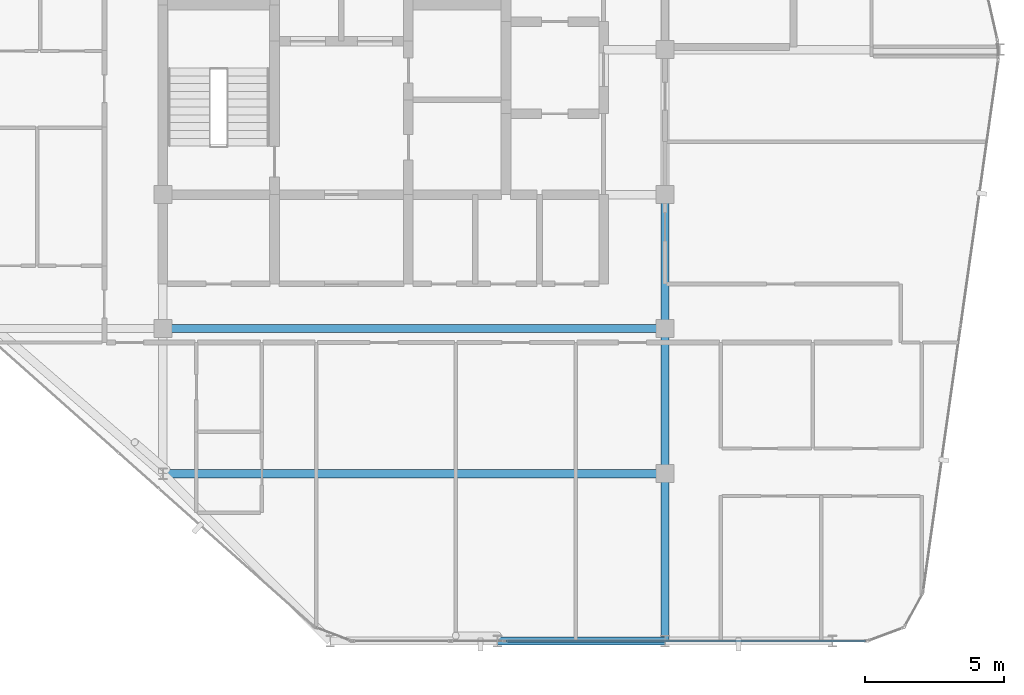
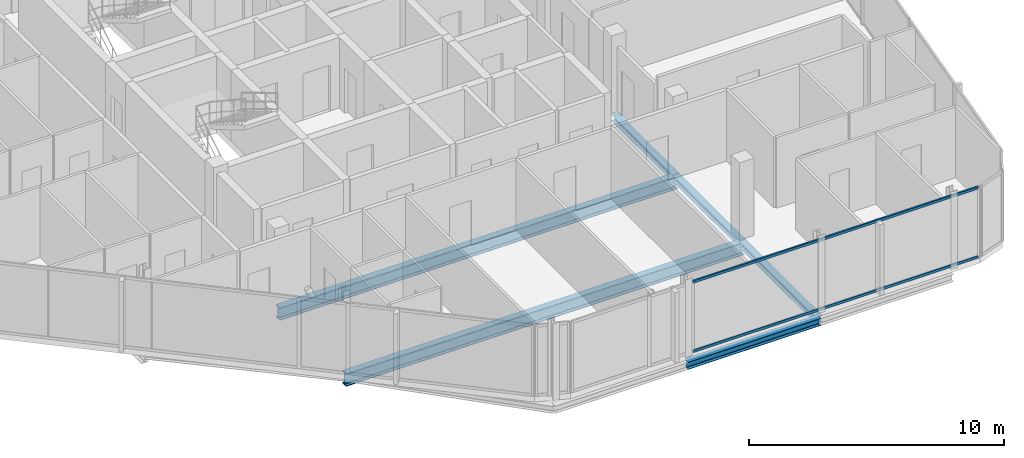
# One storey, part 7 of 27: 6 beams, 2 members, 1 element without a shape of its own.
"""IFC4 building model written with IfcOpenShell, lengths in metres."""

from ifc_helpers import new_model, si_unit, direction, frame, origin, origin_2d, place, context, subcontext, project, spatial, hollow_rectangle, i_section, extrude, material, layer, layer_set, material_profile, profile_set, type_object, element, aggregate, save


model = new_model("IFC4")

# Units and contexts
model_context = context("Model", 3, precision=1e-05, world=origin(), true_north=direction((0.0, 1.0)))
body_context = subcontext(model_context, "Body", "Model", "MODEL_VIEW")
ifc_project = project(units=[si_unit("LENGTHUNIT", "METRE"), si_unit("AREAUNIT", "SQUARE_METRE"), si_unit("VOLUMEUNIT", "CUBIC_METRE"), si_unit("PLANEANGLEUNIT", "RADIAN"), si_unit("MASSUNIT", "GRAM", prefix="KILO")], contexts=[model_context])

# Site, building, storey
site_placement = place(None, origin())
site = spatial("IfcSite", under=ifc_project, at=site_placement, CompositionType="ELEMENT")
building_placement = place(site_placement, origin())
building = spatial("IfcBuilding", under=site, at=building_placement, Name="Keshet Zoharim Tower", CompositionType="ELEMENT")
storey_placement = place(building_placement, frame((0.0, 0.0, 295.39990234375)))
storey = spatial("IfcBuildingStorey", under=building, at=storey_placement, Name="L74", CompositionType="ELEMENT", Elevation=295.39990234375)

# Beams
ifc_material_1 = material(Name="Steel S355", Category="steel")
ifc_material_profile_1 = material_profile(ifc_material_1, i_section(OverallWidth=0.300048828125, OverallDepth=0.60009765625, WebThickness=0.015380859375, FlangeThickness=0.030029296875, FilletRadius=0.027099609375, at=origin_2d()), Name="HEB600")
ifc_profile_set_1 = profile_set([ifc_material_profile_1], Name="Steel S355")
beam_type_1 = type_object("IfcBeamType", Name="BM-LNG-HB600", PredefinedType="BEAM", material=ifc_profile_set_1)
for number, where, z_axis, x_axis, name in (
    (1, (15.0, 12.699951171875, -0.60986328125), (1.0, 0.0, 0.0), (0.0, 1.0, 0.0), "L74 Primary Girder X-004"),
    (2, (15.0, 17.89990234375, -0.60986328125), (1.0, 0.0, 0.0), (0.0, 1.0, 0.0), "L74 Primary Girder X-006"),
):
    element("IfcBeam", number, at=place(storey_placement, frame(where, z_axis=z_axis, x_axis=x_axis)), inside=storey, type_object=beam_type_1, Name=name, PredefinedType="BEAM", context=body_context, shape_type="SweptSolid", body=[
        extrude(i_section(OverallWidth=0.300048828125, OverallDepth=0.60009765625, WebThickness=0.015380859375, FlangeThickness=0.030029296875, FilletRadius=0.027099609375, at=origin_2d()), origin(), (0.0, 0.0, 1.0), 18.0),
    ])
ifc_material_profile_2 = material_profile(ifc_material_1, i_section(OverallWidth=0.300048828125, OverallDepth=0.2900390625, WebThickness=0.008544921875, FlangeThickness=0.013916015625, FilletRadius=0.027099609375, at=origin_2d()), Name="HEA300")
ifc_profile_set_2 = profile_set([ifc_material_profile_2], Name="Steel S355")
beam_type_2 = type_object("IfcBeamType", Name="BM-PRI-HA300", PredefinedType="BEAM", material=ifc_profile_set_2)
beam_1_placement = place(storey_placement, frame((33.0, 6.699951171875, -0.454833984375), z_axis=(0.0, 1.0, 0.0), x_axis=(-1.0, 0.0, 0.0)))
element("IfcBeam", 3, at=beam_1_placement, inside=storey, type_object=beam_type_2, Name="L74 Primary Girder Y-004", PredefinedType="BEAM", context=body_context, shape_type="SweptSolid", body=[
    extrude(i_section(OverallWidth=0.300048828125, OverallDepth=0.2900390625, WebThickness=0.008544921875, FlangeThickness=0.013916015625, FilletRadius=0.027099609375, at=origin_2d()), origin(), (0.0, 0.0, 1.0), 6.0),
])
beam_2_placement = place(storey_placement, frame((33.0, 12.699951171875, -0.454833984375), z_axis=(0.0, 1.0, 0.0), x_axis=(-1.0, 0.0, 0.0)))
element("IfcBeam", 4, at=beam_2_placement, inside=storey, type_object=beam_type_2, Name="L74 Primary Girder Y-005", PredefinedType="BEAM", context=body_context, shape_type="SweptSolid", body=[
    extrude(i_section(OverallWidth=0.300048828125, OverallDepth=0.2900390625, WebThickness=0.008544921875, FlangeThickness=0.013916015625, FilletRadius=0.027099609375, at=origin_2d()), origin(), (0.0, 0.0, 1.0), 5.199951171875),
])
beam_3_placement = place(storey_placement, frame((33.0, 17.89990234375, -0.454833984375), z_axis=(0.0, 1.0, 0.0), x_axis=(-1.0, 0.0, 0.0)))
element("IfcBeam", 5, at=beam_3_placement, inside=storey, type_object=beam_type_2, Name="L74 Primary Girder Y-006", PredefinedType="BEAM", context=body_context, shape_type="SweptSolid", body=[
    extrude(i_section(OverallWidth=0.300048828125, OverallDepth=0.2900390625, WebThickness=0.008544921875, FlangeThickness=0.013916015625, FilletRadius=0.027099609375, at=origin_2d()), origin(), (0.0, 0.0, 1.0), 4.800048828125),
])
ifc_material_profile_3 = material_profile(ifc_material_1, i_section(OverallWidth=0.300048828125, OverallDepth=0.35009765625, WebThickness=0.010009765625, FlangeThickness=0.017578125, FilletRadius=0.027099609375, at=origin_2d()), Name="HEA360")
ifc_profile_set_3 = profile_set([ifc_material_profile_3], Name="Steel S355")
beam_type_3 = type_object("IfcBeamType", Name="BM-PRI-HA360", PredefinedType="BEAM", material=ifc_profile_set_3)
beam_4_placement = place(storey_placement, frame((27.0, 6.699951171875, -0.48486328125), z_axis=(1.0, 0.0, 0.0), x_axis=(0.0, 1.0, 0.0)))
element("IfcBeam", 6, at=beam_4_placement, inside=storey, type_object=beam_type_3, Name="L74 Primary Girder X-002", PredefinedType="BEAM", context=body_context, shape_type="SweptSolid", body=[
    extrude(i_section(OverallWidth=0.300048828125, OverallDepth=0.35009765625, WebThickness=0.010009765625, FlangeThickness=0.017578125, FilletRadius=0.027099609375, at=origin_2d()), origin(), (0.0, 0.0, 1.0), 6.0),
])

# Curtain wall, members
ifc_material_2 = material(Name="Aluminium 6063-T6", Category="aluminium")
ifc_layer = layer(ifc_material_2, 0.260009765625)
ifc_layer_set = layer_set([ifc_layer], Name="Aluminium 6063-T6")
curtain_wall_type = type_object("IfcCurtainWallType", Name="CW-SYS-06", PredefinedType="NOTDEFINED", material=ifc_layer_set)
curtain_wall_placement = place(storey_placement, origin())
curtain_wall = element("IfcCurtainWall", 7, at=curtain_wall_placement, inside=storey, type_object=curtain_wall_type, Name="L74 Unitised Curtain Wall 14", PredefinedType="NOTDEFINED")
ifc_material_profile_4 = material_profile(ifc_material_2, hollow_rectangle(XDim=0.074951171875, YDim=0.1201171875, WallThickness=0.00390625, at=origin_2d()), Name="TRN-75x120")
ifc_profile_set_4 = profile_set([ifc_material_profile_4], Name="Aluminium 6063-T6")
member_type = type_object("IfcMemberType", Name="CWT-T12", PredefinedType="USERDEFINED", material=ifc_profile_set_4)
member_1_placement = place(storey_placement, frame((40.193115234375, 6.699951171875, 0.03515625), z_axis=(-1.0, 0.0, 0.0), x_axis=(0.0, -1.0, 0.0)))
member_1 = element("IfcMember", 8, at=member_1_placement, type_object=member_type, Name="CW-06 transom 1.1", ObjectType="TRANSOM", PredefinedType="USERDEFINED", context=body_context, shape_type="SweptSolid", body=[
    extrude(hollow_rectangle(XDim=0.074951171875, YDim=0.1201171875, WallThickness=0.00390625, at=origin_2d()), origin(), (0.0, 0.0, 1.0), 12.898193359375),
])
member_2_placement = place(storey_placement, frame((40.193115234375, 6.699951171875, 3.34521484375), z_axis=(-1.0, 0.0, 0.0), x_axis=(0.0, -1.0, 0.0)))
member_2 = element("IfcMember", 9, at=member_2_placement, type_object=member_type, Name="CW-06 transom 1.2", ObjectType="TRANSOM", PredefinedType="USERDEFINED", context=body_context, shape_type="SweptSolid", body=[
    extrude(hollow_rectangle(XDim=0.074951171875, YDim=0.1201171875, WallThickness=0.00390625, at=origin_2d()), origin(), (0.0, 0.0, 1.0), 12.898193359375),
])
aggregate(curtain_wall, [member_1, member_2])

save(model, "model.ifc")
